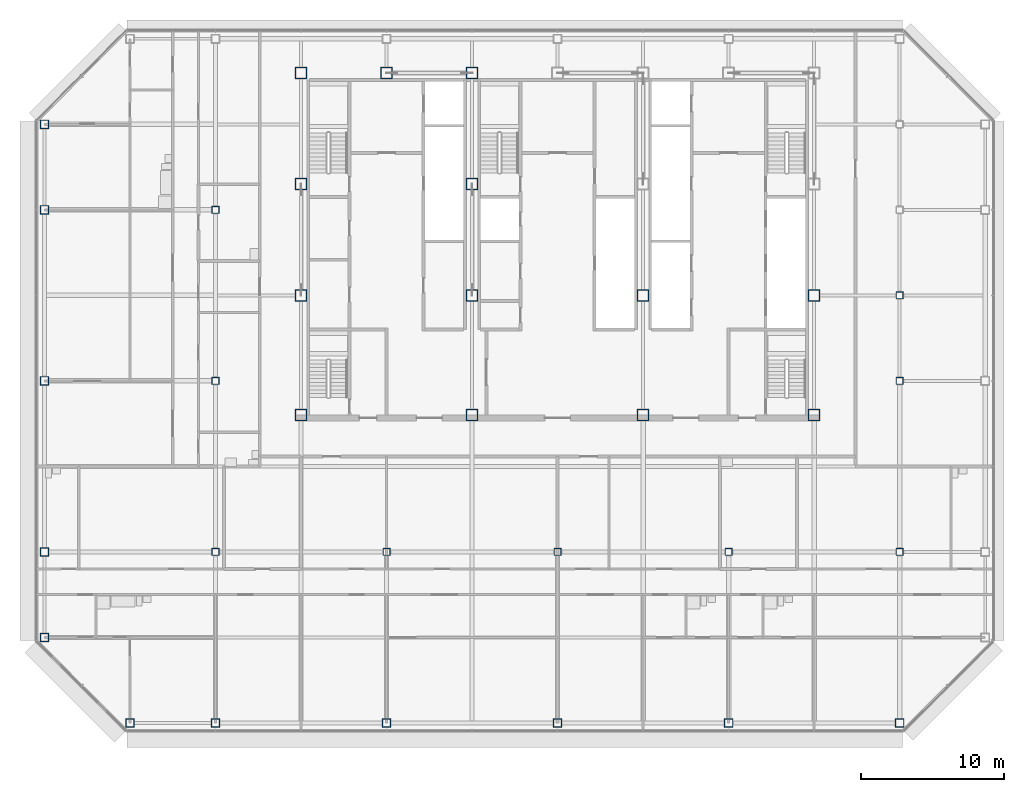
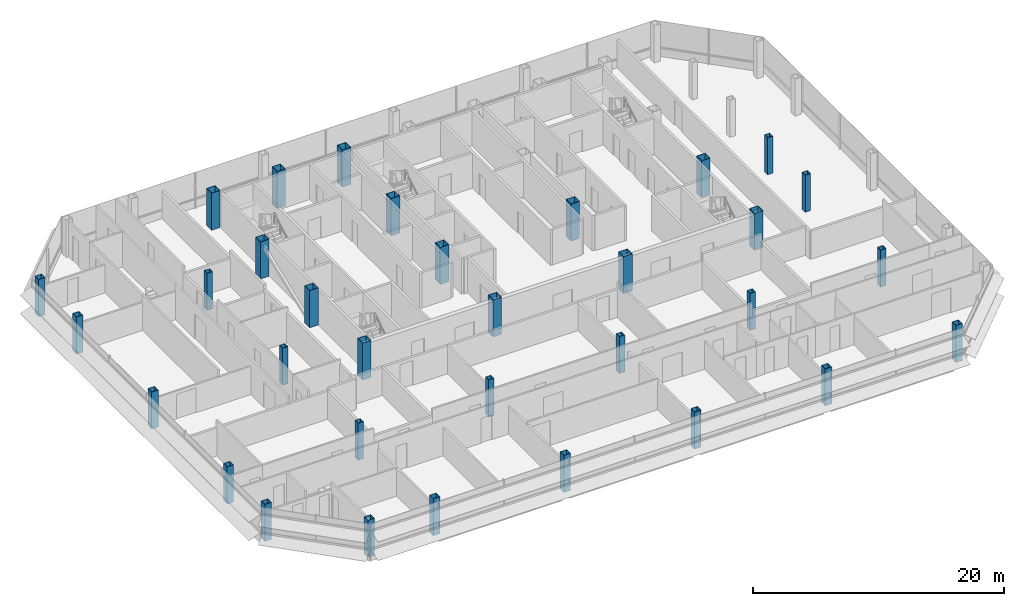
# One storey, part 1 of 27: 33 columns.
"""IFC4 building model written with IfcOpenShell, lengths in metres."""

from ifc_helpers import new_model, si_unit, direction, frame, origin, origin_2d, place, context, subcontext, project, spatial, hollow_rectangle, extrude, material, material_profile, profile_set, type_object, element, save


model = new_model("IFC4")

# Units and contexts
model_context = context("Model", 3, precision=1e-05, world=origin(), true_north=direction((0.0, 1.0)))
body_context = subcontext(model_context, "Body", "Model", "MODEL_VIEW")
ifc_project = project(units=[si_unit("LENGTHUNIT", "METRE"), si_unit("AREAUNIT", "SQUARE_METRE"), si_unit("VOLUMEUNIT", "CUBIC_METRE"), si_unit("PLANEANGLEUNIT", "RADIAN"), si_unit("MASSUNIT", "GRAM", prefix="KILO")], contexts=[model_context])

# Site, building, storey
site_placement = place(None, origin())
site = spatial("IfcSite", under=ifc_project, at=site_placement, CompositionType="ELEMENT")
building_placement = place(site_placement, origin())
building = spatial("IfcBuilding", under=site, at=building_placement, Name="Sorahane Residences", CompositionType="ELEMENT")
storey_placement = place(building_placement, frame((0.0, 0.0, 246.800048828125)))
storey = spatial("IfcBuildingStorey", under=building, at=storey_placement, Name="L58", CompositionType="ELEMENT", Elevation=246.800048828125)

# Columns
ifc_material_1 = material(Name="Steel Q355B", Category="steel")
ifc_material_profile_1 = material_profile(ifc_material_1, hollow_rectangle(XDim=0.5, YDim=0.5, WallThickness=0.02490234375, at=origin_2d()), Name="BOX 500x500x25")
ifc_profile_set_1 = profile_set([ifc_material_profile_1], Name="Steel Q355B")
column_type_1 = type_object("IfcColumnType", Name="Steel box column BOX 500x500x25 Q355B", PredefinedType="COLUMN", material=ifc_profile_set_1)
for number, where, z_axis, x_axis, name in (
    (1, (0.0, 12.0, 0.0), (0.0, 0.0, 1.0), (1.0, 0.0, 0.0), "Column L58 0/12"),
    (2, (0.0, 24.0, 0.0), (0.0, 0.0, 1.0), (1.0, 0.0, 0.0), "Column L58 0/24"),
    (3, (0.0, 36.0, 0.0), (0.0, 0.0, 1.0), (1.0, 0.0, 0.0), "Column L58 0/36"),
    (4, (12.0, 12.0, 0.0), (0.0, 0.0, 1.0), (1.0, 0.0, 0.0), "Column L58 12/12"),
    (5, (24.0, 12.0, 0.0), (0.0, 0.0, 1.0), (1.0, 0.0, 0.0), "Column L58 24/12"),
    (6, (36.0, 12.0, 0.0), (0.0, 0.0, 1.0), (1.0, 0.0, 0.0), "Column L58 36/12"),
    (7, (48.0, 12.0, 0.0), (0.0, 0.0, 1.0), (1.0, 0.0, 0.0), "Column L58 48/12"),
    (8, (48.0, 24.0, 0.0), (0.0, 0.0, 1.0), (1.0, 0.0, 0.0), "Column L58 48/24"),
    (9, (48.0, 30.0, 0.0), (0.0, 0.0, 1.0), (1.0, 0.0, 0.0), "Column L58 48/30"),
):
    element("IfcColumn", number, at=place(storey_placement, frame(where, z_axis=z_axis, x_axis=x_axis)), inside=storey, type_object=column_type_1, Name=name, PredefinedType="COLUMN", context=body_context, shape_type="SweptSolid", body=[
        extrude(hollow_rectangle(XDim=0.5, YDim=0.5, WallThickness=0.02490234375, at=origin_2d()), origin(), (0.0, 0.0, 1.0), 3.599853515625),
    ])
ifc_material_2 = material(Name="Steel Q355B", Category="steel")
ifc_material_profile_2 = material_profile(ifc_material_2, hollow_rectangle(XDim=0.60009765625, YDim=0.60009765625, WallThickness=0.028076171875, at=origin_2d()), Name="BOX 600x600x28")
ifc_profile_set_2 = profile_set([ifc_material_profile_2], Name="Steel Q355B")
column_type_2 = type_object("IfcColumnType", Name="Steel box column BOX 600x600x28 Q355B", PredefinedType="COLUMN", material=ifc_profile_set_2)
for number, where, z_axis, x_axis, name in (
    (10, (-12.0, 6.0, 0.0), (0.0, 0.0, 1.0), (1.0, 0.0, 0.0), "Column L58 m12/6"),
    (11, (-12.0, 12.0, 0.0), (0.0, 0.0, 1.0), (1.0, 0.0, 0.0), "Column L58 m12/12"),
    (12, (-12.0, 24.0, 0.0), (0.0, 0.0, 1.0), (1.0, 0.0, 0.0), "Column L58 m12/24"),
    (13, (-12.0, 36.0, 0.0), (0.0, 0.0, 1.0), (1.0, 0.0, 0.0), "Column L58 m12/36"),
    (14, (-12.0, 42.0, 0.0), (0.0, 0.0, 1.0), (1.0, 0.0, 0.0), "Column L58 m12/42"),
    (15, (-6.0, 0.0, 0.0), (0.0, 0.0, 1.0), (1.0, 0.0, 0.0), "Column L58 m6/0"),
    (16, (0.0, 0.0, 0.0), (0.0, 0.0, 1.0), (1.0, 0.0, 0.0), "Column L58 0/0"),
    (17, (12.0, 0.0, 0.0), (0.0, 0.0, 1.0), (1.0, 0.0, 0.0), "Column L58 12/0"),
    (18, (24.0, 0.0, 0.0), (0.0, 0.0, 1.0), (1.0, 0.0, 0.0), "Column L58 24/0"),
    (19, (36.0, 0.0, 0.0), (0.0, 0.0, 1.0), (1.0, 0.0, 0.0), "Column L58 36/0"),
    (20, (48.0, 0.0, 0.0), (0.0, 0.0, 1.0), (1.0, 0.0, 0.0), "Column L58 48/0"),
):
    element("IfcColumn", number, at=place(storey_placement, frame(where, z_axis=z_axis, x_axis=x_axis)), inside=storey, type_object=column_type_2, Name=name, PredefinedType="COLUMN", context=body_context, shape_type="SweptSolid", body=[
        extrude(hollow_rectangle(XDim=0.60009765625, YDim=0.60009765625, WallThickness=0.028076171875, at=origin_2d()), origin(), (0.0, 0.0, 1.0), 3.599853515625),
    ])
ifc_material_3 = material(Name="Steel Q355B", Category="steel")
ifc_material_profile_3 = material_profile(ifc_material_3, hollow_rectangle(XDim=0.800048828125, YDim=0.800048828125, WallThickness=0.031982421875, at=origin_2d()), Name="BOX 800x800x32")
ifc_profile_set_3 = profile_set([ifc_material_profile_3], Name="Steel Q355B")
column_type_3 = type_object("IfcColumnType", Name="Steel box column BOX 800x800x32 Q355B", PredefinedType="COLUMN", material=ifc_profile_set_3)
for number, where, z_axis, x_axis, name in (
    (21, (6.0, 21.60009765625, 0.0), (0.0, 0.0, 1.0), (1.0, 0.0, 0.0), "Column L58 6/21.6"),
    (22, (6.0, 30.0, 0.0), (0.0, 0.0, 1.0), (1.0, 0.0, 0.0), "Column L58 6/30"),
    (23, (6.0, 37.800048828125, 0.0), (0.0, 0.0, 1.0), (1.0, 0.0, 0.0), "Column L58 6/37.8"),
    (24, (6.0, 45.60009765625, 0.0), (0.0, 0.0, 1.0), (1.0, 0.0, 0.0), "Column L58 6/45.6"),
    (25, (12.0, 45.60009765625, 0.0), (0.0, 0.0, 1.0), (1.0, 0.0, 0.0), "Column L58 12/45.6"),
    (26, (18.0, 21.60009765625, 0.0), (0.0, 0.0, 1.0), (1.0, 0.0, 0.0), "Column L58 18/21.6"),
    (27, (18.0, 30.0, 0.0), (0.0, 0.0, 1.0), (1.0, 0.0, 0.0), "Column L58 18/30"),
    (28, (18.0, 37.800048828125, 0.0), (0.0, 0.0, 1.0), (1.0, 0.0, 0.0), "Column L58 18/37.8"),
    (29, (18.0, 45.60009765625, 0.0), (0.0, 0.0, 1.0), (1.0, 0.0, 0.0), "Column L58 18/45.6"),
    (30, (30.0, 21.60009765625, 0.0), (0.0, 0.0, 1.0), (1.0, 0.0, 0.0), "Column L58 30/21.6"),
    (31, (30.0, 30.0, 0.0), (0.0, 0.0, 1.0), (1.0, 0.0, 0.0), "Column L58 30/30"),
    (32, (42.0, 21.60009765625, 0.0), (0.0, 0.0, 1.0), (1.0, 0.0, 0.0), "Column L58 42/21.6"),
    (33, (42.0, 30.0, 0.0), (0.0, 0.0, 1.0), (1.0, 0.0, 0.0), "Column L58 42/30"),
):
    element("IfcColumn", number, at=place(storey_placement, frame(where, z_axis=z_axis, x_axis=x_axis)), inside=storey, type_object=column_type_3, Name=name, PredefinedType="COLUMN", context=body_context, shape_type="SweptSolid", body=[
        extrude(hollow_rectangle(XDim=0.800048828125, YDim=0.800048828125, WallThickness=0.031982421875, at=origin_2d()), origin(), (0.0, 0.0, 1.0), 3.599853515625),
    ])

save(model, "model.ifc")
